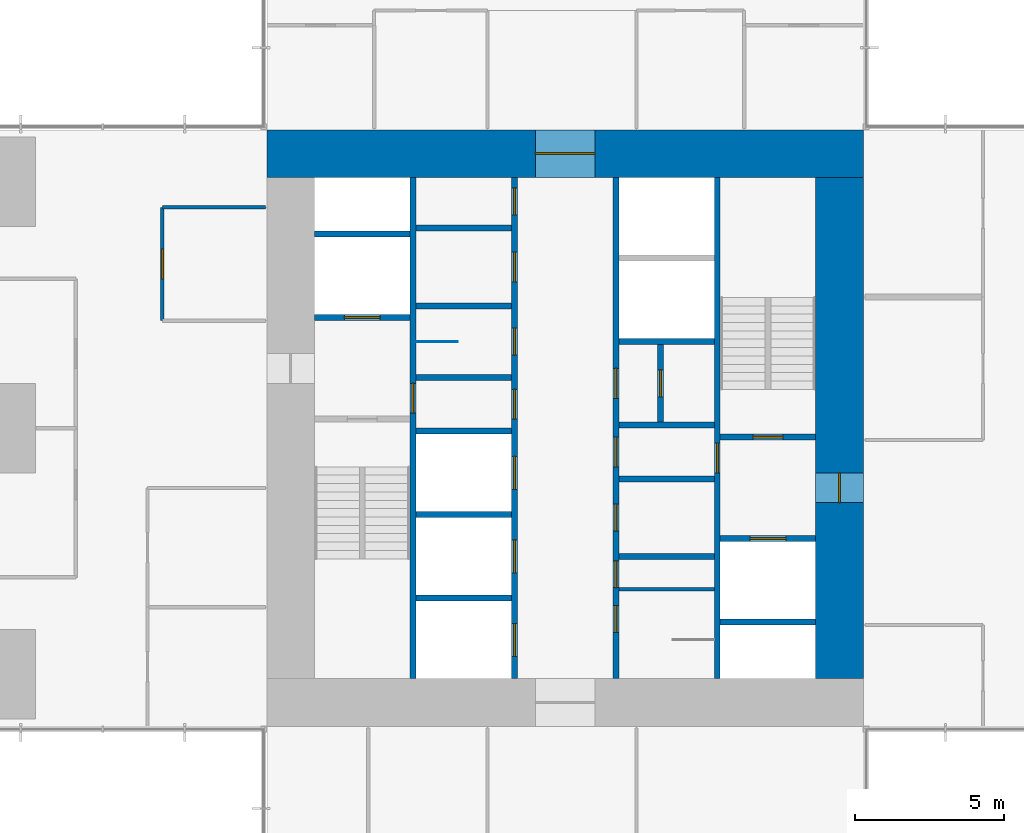
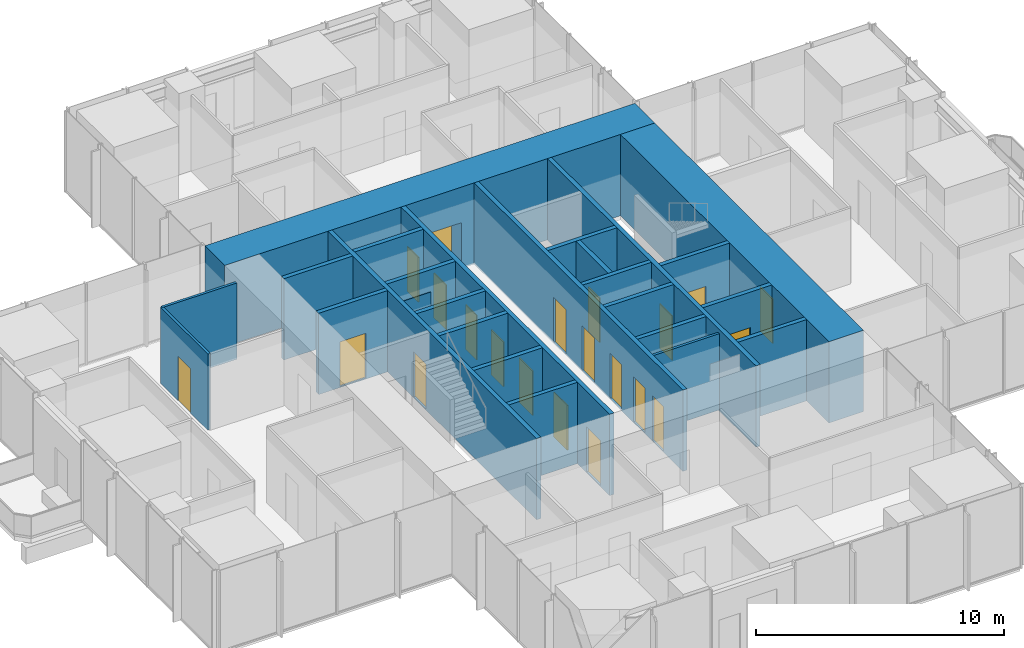
# One storey, part 9 of 14: 26 walls, 21 doors, 21 openings.
"""IFC4 building model written with IfcOpenShell, lengths in metres."""

import ifcopenshell
import ifcopenshell.guid

model = None  # the IFC model being written
_history = None  # IfcOwnerHistory: only IFC2X3 demands one
_inside = {}  # id of a spatial element -> (the spatial element, [elements in it])
_under = {}  # id of a project, library or spatial element -> (it, [spatial elements below it])
_declared = {}  # id of a project -> (the project, [libraries it declares])
_typed = {}  # id of a type object -> (the type object, [elements of that type])
_made_of = {}  # id of a material, layer set ... -> (it, [elements and type objects made of it])


def new_model(schema):
    """Start an empty IFC model of exactly this schema.

    Asked for "IFC4X3", IfcOpenShell would pick the latest addendum, in which some entities
    have other attributes; the version numbers below select the first issue.
    IFC2X3 requires an IfcOwnerHistory on every rooted entity: one is made here for all.
    """
    global model, _history
    if schema == "IFC4X3":
        model = ifcopenshell.file(schema_version=(4, 3, 0, 0))
    else:
        model = ifcopenshell.file(schema=schema)
    _inside.clear()
    _under.clear()
    _declared.clear()
    _typed.clear()
    _made_of.clear()
    _history = None
    if model.schema == "IFC2X3":
        org = make("IfcOrganization", Name="unknown")
        user = make(
            "IfcPersonAndOrganization",
            ThePerson=make("IfcPerson", FamilyName="unknown"),
            TheOrganization=org,
        )
        app = make(
            "IfcApplication",
            ApplicationDeveloper=org,
            Version="unknown",
            ApplicationFullName="unknown",
            ApplicationIdentifier="unknown",
        )
        _history = make(
            "IfcOwnerHistory",
            OwningUser=user,
            OwningApplication=app,
            ChangeAction="ADDED",
            CreationDate=0,
        )
    return model


def make(cls, **values):
    """One entity of the class cls with the attributes given. An attribute that is None is left unset."""
    return model.create_entity(
        cls, **{name: value for name, value in values.items() if value is not None}
    )


def rooted(cls, **values):
    """An entity with a GlobalId (a new one), such as an element, a storey or a relation."""
    return make(cls, GlobalId=ifcopenshell.guid.new(), OwnerHistory=_history, **values)


def si_unit(unit_type, name, prefix=None):
    """IfcSIUnit, for example si_unit("LENGTHUNIT", "METRE", prefix="MILLI")."""
    return make("IfcSIUnit", UnitType=unit_type, Prefix=prefix, Name=name)


def assignment(units):
    """IfcUnitAssignment: the units of a project."""
    return None if units is None else make("IfcUnitAssignment", Units=units)


def point(xyz):
    """IfcCartesianPoint."""
    return None if xyz is None else make("IfcCartesianPoint", Coordinates=xyz)


def direction(xyz):
    """IfcDirection."""
    return None if xyz is None else make("IfcDirection", DirectionRatios=xyz)


def frame(location, z_axis=None, x_axis=None):
    """IfcAxis2Placement3D, a coordinate frame: its origin and axes. An axis left out is left unset."""
    return make(
        "IfcAxis2Placement3D",
        Location=point(location),
        Axis=direction(z_axis),
        RefDirection=direction(x_axis),
    )


def frame_2d(location, x_axis=None):
    """IfcAxis2Placement2D, a coordinate frame in the plane: its origin and x axis."""
    return make(
        "IfcAxis2Placement2D", Location=point(location), RefDirection=direction(x_axis)
    )


def origin():
    """The frame at (0, 0, 0) with its axes left unset."""
    return frame((0.0, 0.0, 0.0))


def place(relative_to, where):
    """IfcLocalPlacement: puts the frame where relative to a parent placement (None: the world)."""
    return make(
        "IfcLocalPlacement", PlacementRelTo=relative_to, RelativePlacement=where
    )


def context(
    kind, dimensions, precision=None, world=None, true_north=None, identifier=None
):
    """IfcGeometricRepresentationContext, for example the 3D "Model" context."""
    return make(
        "IfcGeometricRepresentationContext",
        ContextIdentifier=identifier,
        ContextType=kind,
        CoordinateSpaceDimension=dimensions,
        Precision=precision,
        WorldCoordinateSystem=world,
        TrueNorth=true_north,
    )


def subcontext(parent, identifier, kind, view, scale=None):
    """IfcGeometricRepresentationSubContext, for example "Body" below "Model"."""
    return make(
        "IfcGeometricRepresentationSubContext",
        ContextIdentifier=identifier,
        ContextType=kind,
        ParentContext=parent,
        TargetScale=scale,
        TargetView=view,
    )


def project(units=None, contexts=None):
    """IfcProject with its units and contexts."""
    return rooted(
        "IfcProject",
        Name="project",
        RepresentationContexts=contexts,
        UnitsInContext=assignment(units),
    )


def spatial(cls, under=None, at=None, **own):
    """A site, building, storey or space (cls), placed at a placement, below another one or the project."""
    s = rooted(cls, ObjectPlacement=at, **own)
    if under is not None:
        _under.setdefault(under.id(), (under, []))[1].append(s)
    return s


def profile(cls, at=None, kind="AREA", **sizes):
    """A parametric profile (cls). Its sizes go by their IFC names, for example OverallWidth=200.0."""
    return make(cls, ProfileType=kind, Position=at, **sizes)


def rectangle(**sizes):
    """IfcRectangleProfileDef."""
    return profile("IfcRectangleProfileDef", **sizes)


def extrude(swept, where, along, depth):
    """IfcExtrudedAreaSolid: the profile swept, set in the frame where, extruded along a direction by depth."""
    return make(
        "IfcExtrudedAreaSolid",
        SweptArea=swept,
        Position=where,
        ExtrudedDirection=direction(along),
        Depth=depth,
    )


def shape(context_of_items, identifier, shape_type, items):
    """IfcShapeRepresentation: the items that make up one representation, for example the "Body"."""
    return make(
        "IfcShapeRepresentation",
        ContextOfItems=context_of_items,
        RepresentationIdentifier=identifier,
        RepresentationType=shape_type,
        Items=items,
    )


def material(Name=None, Category=None):
    """IfcMaterial."""
    return make("IfcMaterial", Name=Name, Category=Category)


def layer(
    of_material, thickness, ventilated=None, Name=None, Category=None, Priority=None
):
    """IfcMaterialLayer: one layer of a wall or slab, of a material (None: an air gap)."""
    return make(
        "IfcMaterialLayer",
        Material=of_material,
        LayerThickness=thickness,
        IsVentilated=ventilated,
        Name=Name,
        Category=Category,
        Priority=Priority,
    )


def layer_set(layers, Name=None):
    """IfcMaterialLayerSet."""
    return make("IfcMaterialLayerSet", MaterialLayers=layers, LayerSetName=Name)


def made_of(thing, what):
    """Note that an element or type object is made of a material, layer set ...; save() writes the relation."""
    if what is not None:
        _made_of.setdefault(what.id(), (what, []))[1].append(thing)
    return thing


def type_object(cls, material=None, **own):
    """A type object (cls), such as IfcWallType, which elements share."""
    return made_of(rooted(cls, **own), material)


def element(
    cls,
    number,
    at=None,
    inside=None,
    cuts=None,
    type_object=None,
    material=None,
    context=None,
    identifier="Body",
    shape_type=None,
    held_by="IfcProductDefinitionShape",
    body=None,
    shapes=None,
    **own,
):
    """One element of the class cls, such as IfcWall. Its Tag is "e" and its number.

    at: its placement. inside: the storey or other place that contains it. cuts: it is an
    opening in that element (IfcRelVoidsElement). A single representation is given by context,
    identifier, shape_type and body (its items); several are given by shapes. held_by: the class
    of the entity that holds the representations. save() writes the other relations.
    """
    e = rooted(cls, Tag="e%d" % number, ObjectPlacement=at, **own)
    if body is not None:
        shapes = [shape(context, identifier, shape_type, body)]
    if shapes is not None:
        e.Representation = make(held_by, Representations=shapes)
    if inside is not None:
        _inside.setdefault(inside.id(), (inside, []))[1].append(e)
    if cuts is not None:
        rooted(
            "IfcRelVoidsElement", RelatingBuildingElement=cuts, RelatedOpeningElement=e
        )
    if type_object is not None:
        _typed.setdefault(type_object.id(), (type_object, []))[1].append(e)
    return made_of(e, material)


def fill(opening, filler):
    """IfcRelFillsElement: the door or window that sits in an opening."""
    return rooted(
        "IfcRelFillsElement",
        RelatingOpeningElement=opening,
        RelatedBuildingElement=filler,
    )


def aggregate(whole, parts):
    """IfcRelAggregates: a whole, such as a stair, and the parts it consists of."""
    return rooted("IfcRelAggregates", RelatingObject=whole, RelatedObjects=parts)


def save(model, path):
    """Write the relations noted so far, then the file.

    IfcRelAggregates (storeys below a building ...), IfcRelContainedInSpatialStructure (elements
    in a storey), IfcRelDefinesByType, IfcRelAssociatesMaterial and IfcRelDeclares: one each for
    every whole, place, type object, material and project.
    """
    for whole, parts in _under.values():
        aggregate(whole, parts)
    for where, things in _inside.values():
        rooted(
            "IfcRelContainedInSpatialStructure",
            RelatedElements=things,
            RelatingStructure=where,
        )
    for kind, things in _typed.values():
        rooted("IfcRelDefinesByType", RelatedObjects=things, RelatingType=kind)
    for what, things in _made_of.values():
        rooted("IfcRelAssociatesMaterial", RelatedObjects=things, RelatingMaterial=what)
    for by, libraries in _declared.values():
        rooted("IfcRelDeclares", RelatingContext=by, RelatedDefinitions=libraries)
    model.write(path)


model = new_model("IFC4")

# Units and contexts
model_context = context("Model", 3, precision=1e-05, world=origin(), true_north=direction((0.0, 1.0)))
body_context = subcontext(model_context, "Body", "Model", "MODEL_VIEW")
ifc_project = project(units=[si_unit("LENGTHUNIT", "METRE"), si_unit("AREAUNIT", "SQUARE_METRE"), si_unit("VOLUMEUNIT", "CUBIC_METRE"), si_unit("PLANEANGLEUNIT", "RADIAN"), si_unit("MASSUNIT", "GRAM", prefix="KILO")], contexts=[model_context])

# Site, building, storey
site_placement = place(None, origin())
site = spatial("IfcSite", under=ifc_project, at=site_placement, CompositionType="ELEMENT")
building_placement = place(site_placement, origin())
building = spatial("IfcBuilding", under=site, at=building_placement, Name="Svetlomir Tower", CompositionType="ELEMENT")
storey_placement = place(building_placement, frame((0.0, 0.0, 108.5)))
storey = spatial("IfcBuildingStorey", under=building, at=storey_placement, Name="L25", CompositionType="ELEMENT", Elevation=108.5)

# Wall, opening, door
ifc_material_1 = material(Name="Concrete C60/75", Category="concrete")
ifc_layer_1 = layer(ifc_material_1, 0.199951171875)
ifc_layer_set_1 = layer_set([ifc_layer_1], Name="Concrete C60/75")
wall_type_1 = type_object("IfcWallType", Name="CORE INNER WALL 200", PredefinedType="SHEAR", material=ifc_layer_set_1)
wall_1_placement = place(storey_placement, frame((15.89990234375, 12.60009765625, -0.050048828125), z_axis=(0.0, 0.0, 1.0), x_axis=(0.0, 1.0, 0.0)))
wall_1 = element("IfcWall", 1, at=wall_1_placement, inside=storey, type_object=wall_type_1, Name="Core inner wall 15.9 L25", PredefinedType="SHEAR", context=body_context, shape_type="SweptSolid", body=[
    extrude(rectangle(XDim=16.7998046875, YDim=0.199951171875, at=frame_2d((8.39990234375, 0.0))), origin(), (0.0, 0.0, 1.0), 4.0),
])
opening_1_placement = place(wall_1_placement, frame((8.89990234375, 0.0, 0.050048828125)))
opening_1 = element("IfcOpeningElement", 2, at=opening_1_placement, cuts=wall_1, Name="Opening DF", PredefinedType="OPENING", context=body_context, shape_type="SweptSolid", body=[
    extrude(rectangle(XDim=1.0, YDim=2.199951171875, at=frame_2d((0.5, 1.10009765625))), frame((0.0, 0.10986328125, 0.0), z_axis=(0.0, -1.0, 0.0), x_axis=(1.0, 0.0, 0.0)), (0.0, 0.0, 1.0), 0.219970703125),
])
ifc_material_2 = material(Name="Steel fire door", Category="steel")
door_type_1 = type_object("IfcDoorType", Name="DOOR DF 1000x2200", OperationType="SINGLE_SWING_LEFT", PredefinedType="DOOR", material=ifc_material_2)
door_1_placement = place(opening_1_placement, origin())
door_1 = element("IfcDoor", 3, at=door_1_placement, inside=storey, type_object=door_type_1, Name="Core corridor west door L25", OperationType="SINGLE_SWING_LEFT", OverallHeight=2.199951171875, OverallWidth=1.0, PredefinedType="DOOR", context=body_context, shape_type="SweptSolid", body=[
    extrude(rectangle(XDim=1.0, YDim=2.199951171875, at=frame_2d((0.5, 1.10009765625))), frame((0.0, 0.02490234375, 0.0), z_axis=(0.0, -1.0, 0.0), x_axis=(1.0, 0.0, 0.0)), (0.0, 0.0, 1.0), 0.050048828125),
])
fill(opening_1, door_1)

# Wall, openings, doors
wall_2_placement = place(storey_placement, frame((19.300048828125, 12.60009765625, -0.050048828125), z_axis=(0.0, 0.0, 1.0), x_axis=(0.0, 1.0, 0.0)))
wall_2 = element("IfcWall", 4, at=wall_2_placement, inside=storey, type_object=wall_type_1, Name="Core inner wall 19.3 L25", PredefinedType="SHEAR", context=body_context, shape_type="SweptSolid", body=[
    extrude(rectangle(XDim=16.7998046875, YDim=0.199951171875, at=frame_2d((8.39990234375, 0.0))), origin(), (0.0, 0.0, 1.0), 4.0),
])
opening_2_placement = place(wall_2_placement, frame((8.699951171875, 0.0, 0.050048828125)))
opening_2 = element("IfcOpeningElement", 5, at=opening_2_placement, cuts=wall_2, Name="Opening DC", PredefinedType="OPENING", context=body_context, shape_type="SweptSolid", body=[
    extrude(rectangle(XDim=1.0, YDim=2.199951171875, at=frame_2d((0.5, 1.10009765625))), frame((0.0, 0.10986328125, 0.0), z_axis=(0.0, -1.0, 0.0), x_axis=(1.0, 0.0, 0.0)), (0.0, 0.0, 1.0), 0.219970703125),
])
opening_3_placement = place(wall_2_placement, frame((10.85009765625, 0.0, 0.050048828125)))
opening_3 = element("IfcOpeningElement", 6, at=opening_3_placement, cuts=wall_2, Name="Opening DW", PredefinedType="OPENING", context=body_context, shape_type="SweptSolid", body=[
    extrude(rectangle(XDim=0.89990234375, YDim=2.199951171875, at=frame_2d((0.449951171875, 1.10009765625))), frame((0.0, 0.10986328125, 0.0), z_axis=(0.0, -1.0, 0.0), x_axis=(1.0, 0.0, 0.0)), (0.0, 0.0, 1.0), 0.219970703125),
])
opening_4_placement = place(wall_2_placement, frame((13.300048828125, 0.0, 0.050048828125)))
opening_4 = element("IfcOpeningElement", 7, at=opening_4_placement, cuts=wall_2, Name="Opening DC", PredefinedType="OPENING", context=body_context, shape_type="SweptSolid", body=[
    extrude(rectangle(XDim=1.0, YDim=2.199951171875, at=frame_2d((0.5, 1.10009765625))), frame((0.0, 0.10986328125, 0.0), z_axis=(0.0, -1.0, 0.0), x_axis=(1.0, 0.0, 0.0)), (0.0, 0.0, 1.0), 0.219970703125),
])
opening_5_placement = place(wall_2_placement, frame((15.550048828125, 0.0, 0.050048828125)))
opening_5 = element("IfcOpeningElement", 8, at=opening_5_placement, cuts=wall_2, Name="Opening DW", PredefinedType="OPENING", context=body_context, shape_type="SweptSolid", body=[
    extrude(rectangle(XDim=0.89990234375, YDim=2.199951171875, at=frame_2d((0.449951171875, 1.10009765625))), frame((0.0, 0.10986328125, 0.0), z_axis=(0.0, -1.0, 0.0), x_axis=(1.0, 0.0, 0.0)), (0.0, 0.0, 1.0), 0.219970703125),
])
opening_6_placement = place(wall_2_placement, frame((0.75, 0.0, 0.050048828125)))
opening_6 = element("IfcOpeningElement", 9, at=opening_6_placement, cuts=wall_2, Name="Opening LD", PredefinedType="OPENING", context=body_context, shape_type="SweptSolid", body=[
    extrude(rectangle(XDim=1.10009765625, YDim=2.199951171875, at=frame_2d((0.550048828125, 1.10009765625))), frame((0.0, 0.10986328125, 0.0), z_axis=(0.0, -1.0, 0.0), x_axis=(1.0, 0.0, 0.0)), (0.0, 0.0, 1.0), 0.219970703125),
])
opening_7_placement = place(wall_2_placement, frame((3.550048828125, 0.0, 0.050048828125)))
opening_7 = element("IfcOpeningElement", 10, at=opening_7_placement, cuts=wall_2, Name="Opening LD", PredefinedType="OPENING", context=body_context, shape_type="SweptSolid", body=[
    extrude(rectangle(XDim=1.10009765625, YDim=2.199951171875, at=frame_2d((0.550048828125, 1.10009765625))), frame((0.0, 0.10986328125, 0.0), z_axis=(0.0, -1.0, 0.0), x_axis=(1.0, 0.0, 0.0)), (0.0, 0.0, 1.0), 0.219970703125),
])
opening_8_placement = place(wall_2_placement, frame((6.35009765625, 0.0, 0.050048828125)))
opening_8 = element("IfcOpeningElement", 11, at=opening_8_placement, cuts=wall_2, Name="Opening LD", PredefinedType="OPENING", context=body_context, shape_type="SweptSolid", body=[
    extrude(rectangle(XDim=1.10009765625, YDim=2.199951171875, at=frame_2d((0.550048828125, 1.10009765625))), frame((0.0, 0.10986328125, 0.0), z_axis=(0.0, -1.0, 0.0), x_axis=(1.0, 0.0, 0.0)), (0.0, 0.0, 1.0), 0.219970703125),
])
ifc_material_3 = material(Name="Timber fire door", Category="wood")
door_type_2 = type_object("IfcDoorType", Name="DOOR DC 1000x2200", OperationType="SINGLE_SWING_LEFT", PredefinedType="DOOR", material=ifc_material_3)
door_2_placement = place(opening_2_placement, origin())
door_2 = element("IfcDoor", 12, at=door_2_placement, inside=storey, type_object=door_type_2, Name="Core corridor west lobby door L25", OperationType="SINGLE_SWING_RIGHT", OverallHeight=2.199951171875, OverallWidth=1.0, PredefinedType="DOOR", context=body_context, shape_type="SweptSolid", body=[
    extrude(rectangle(XDim=1.0, YDim=2.199951171875, at=frame_2d((0.5, 1.10009765625))), frame((0.0, 0.02490234375, 0.0), z_axis=(0.0, -1.0, 0.0), x_axis=(1.0, 0.0, 0.0)), (0.0, 0.0, 1.0), 0.050048828125),
])
fill(opening_2, door_2)
door_3_placement = place(opening_4_placement, origin())
door_3 = element("IfcDoor", 13, at=door_3_placement, inside=storey, type_object=door_type_2, Name="Accessible WC door L25", OperationType="SINGLE_SWING_LEFT", OverallHeight=2.199951171875, OverallWidth=1.0, PredefinedType="DOOR", context=body_context, shape_type="SweptSolid", body=[
    extrude(rectangle(XDim=1.0, YDim=2.199951171875, at=frame_2d((0.5, 1.10009765625))), frame((0.0, 0.02490234375, 0.0), z_axis=(0.0, -1.0, 0.0), x_axis=(1.0, 0.0, 0.0)), (0.0, 0.0, 1.0), 0.050048828125),
])
fill(opening_4, door_3)
ifc_material_4 = material(Name="Timber fire door", Category="wood")
door_type_3 = type_object("IfcDoorType", Name="DOOR DW 900x2200", OperationType="SINGLE_SWING_LEFT", PredefinedType="DOOR", material=ifc_material_4)
door_4_placement = place(opening_3_placement, origin())
door_4 = element("IfcDoor", 14, at=door_4_placement, inside=storey, type_object=door_type_3, Name="Female WC door L25", OperationType="SINGLE_SWING_RIGHT", OverallHeight=2.199951171875, OverallWidth=0.89990234375, PredefinedType="DOOR", context=body_context, shape_type="SweptSolid", body=[
    extrude(rectangle(XDim=0.89990234375, YDim=2.199951171875, at=frame_2d((0.449951171875, 1.10009765625))), frame((0.0, 0.02490234375, 0.0), z_axis=(0.0, -1.0, 0.0), x_axis=(1.0, 0.0, 0.0)), (0.0, 0.0, 1.0), 0.050048828125),
])
fill(opening_3, door_4)
door_5_placement = place(opening_5_placement, origin())
door_5 = element("IfcDoor", 15, at=door_5_placement, inside=storey, type_object=door_type_3, Name="Tea point door L25", OperationType="SINGLE_SWING_RIGHT", OverallHeight=2.199951171875, OverallWidth=0.89990234375, PredefinedType="DOOR", context=body_context, shape_type="SweptSolid", body=[
    extrude(rectangle(XDim=0.89990234375, YDim=2.199951171875, at=frame_2d((0.449951171875, 1.10009765625))), frame((0.0, 0.02490234375, 0.0), z_axis=(0.0, -1.0, 0.0), x_axis=(1.0, 0.0, 0.0)), (0.0, 0.0, 1.0), 0.050048828125),
])
fill(opening_5, door_5)
ifc_material_5 = material(Name="Stainless steel landing door", Category="steel")
door_type_4 = type_object("IfcDoorType", Name="LIFT LANDING DOOR LD 1100x2200", OperationType="DOUBLE_DOOR_SLIDING", PredefinedType="DOOR", material=ifc_material_5)
door_6_placement = place(opening_6_placement, origin())
door_6 = element("IfcDoor", 16, at=door_6_placement, inside=storey, type_object=door_type_4, Name="Landing door lift LB1 L25", OperationType="DOUBLE_DOOR_SLIDING", OverallHeight=2.199951171875, OverallWidth=1.10009765625, PredefinedType="DOOR", context=body_context, shape_type="SweptSolid", body=[
    extrude(rectangle(XDim=1.10009765625, YDim=2.199951171875, at=frame_2d((0.550048828125, 1.10009765625))), frame((0.0, 0.02490234375, 0.0), z_axis=(0.0, -1.0, 0.0), x_axis=(1.0, 0.0, 0.0)), (0.0, 0.0, 1.0), 0.050048828125),
])
fill(opening_6, door_6)
door_7_placement = place(opening_7_placement, origin())
door_7 = element("IfcDoor", 17, at=door_7_placement, inside=storey, type_object=door_type_4, Name="Landing door lift LB2 L25", OperationType="DOUBLE_DOOR_SLIDING", OverallHeight=2.199951171875, OverallWidth=1.10009765625, PredefinedType="DOOR", context=body_context, shape_type="SweptSolid", body=[
    extrude(rectangle(XDim=1.10009765625, YDim=2.199951171875, at=frame_2d((0.550048828125, 1.10009765625))), frame((0.0, 0.02490234375, 0.0), z_axis=(0.0, -1.0, 0.0), x_axis=(1.0, 0.0, 0.0)), (0.0, 0.0, 1.0), 0.050048828125),
])
fill(opening_7, door_7)
door_8_placement = place(opening_8_placement, origin())
door_8 = element("IfcDoor", 18, at=door_8_placement, inside=storey, type_object=door_type_4, Name="Landing door lift LB3 L25", OperationType="DOUBLE_DOOR_SLIDING", OverallHeight=2.199951171875, OverallWidth=1.10009765625, PredefinedType="DOOR", context=body_context, shape_type="SweptSolid", body=[
    extrude(rectangle(XDim=1.10009765625, YDim=2.199951171875, at=frame_2d((0.550048828125, 1.10009765625))), frame((0.0, 0.02490234375, 0.0), z_axis=(0.0, -1.0, 0.0), x_axis=(1.0, 0.0, 0.0)), (0.0, 0.0, 1.0), 0.050048828125),
])
fill(opening_8, door_8)

wall_3_placement = place(storey_placement, frame((22.699951171875, 12.60009765625, -0.050048828125), z_axis=(0.0, 0.0, 1.0), x_axis=(0.0, 1.0, 0.0)))
wall_3 = element("IfcWall", 19, at=wall_3_placement, inside=storey, type_object=wall_type_1, Name="Core inner wall 22.7 L25", PredefinedType="SHEAR", context=body_context, shape_type="SweptSolid", body=[
    extrude(rectangle(XDim=16.7998046875, YDim=0.199951171875, at=frame_2d((8.39990234375, 0.0))), origin(), (0.0, 0.0, 1.0), 4.0),
])
opening_9_placement = place(wall_3_placement, frame((3.050048828125, 0.0, 0.050048828125)))
opening_9 = element("IfcOpeningElement", 20, at=opening_9_placement, cuts=wall_3, Name="Opening DW", PredefinedType="OPENING", context=body_context, shape_type="SweptSolid", body=[
    extrude(rectangle(XDim=0.89990234375, YDim=2.199951171875, at=frame_2d((0.449951171875, 1.10009765625))), frame((0.0, 0.10986328125, 0.0), z_axis=(0.0, -1.0, 0.0), x_axis=(1.0, 0.0, 0.0)), (0.0, 0.0, 1.0), 0.219970703125),
])
opening_10_placement = place(wall_3_placement, frame((7.10009765625, 0.0, 0.050048828125)))
opening_10 = element("IfcOpeningElement", 21, at=opening_10_placement, cuts=wall_3, Name="Opening DC", PredefinedType="OPENING", context=body_context, shape_type="SweptSolid", body=[
    extrude(rectangle(XDim=1.0, YDim=2.199951171875, at=frame_2d((0.5, 1.10009765625))), frame((0.0, 0.10986328125, 0.0), z_axis=(0.0, -1.0, 0.0), x_axis=(1.0, 0.0, 0.0)), (0.0, 0.0, 1.0), 0.219970703125),
])
opening_11_placement = place(wall_3_placement, frame((1.550048828125, 0.0, 0.050048828125)))
opening_11 = element("IfcOpeningElement", 22, at=opening_11_placement, cuts=wall_3, Name="Opening DW", PredefinedType="OPENING", context=body_context, shape_type="SweptSolid", body=[
    extrude(rectangle(XDim=0.89990234375, YDim=2.199951171875, at=frame_2d((0.449951171875, 1.10009765625))), frame((0.0, 0.10986328125, 0.0), z_axis=(0.0, -1.0, 0.0), x_axis=(1.0, 0.0, 0.0)), (0.0, 0.0, 1.0), 0.219970703125),
])
opening_12_placement = place(wall_3_placement, frame((4.949951171875, 0.0, 0.050048828125)))
opening_12 = element("IfcOpeningElement", 23, at=opening_12_placement, cuts=wall_3, Name="Opening DW", PredefinedType="OPENING", context=body_context, shape_type="SweptSolid", body=[
    extrude(rectangle(XDim=0.89990234375, YDim=2.199951171875, at=frame_2d((0.449951171875, 1.10009765625))), frame((0.0, 0.10986328125, 0.0), z_axis=(0.0, -1.0, 0.0), x_axis=(1.0, 0.0, 0.0)), (0.0, 0.0, 1.0), 0.219970703125),
])
opening_13_placement = place(wall_3_placement, frame((9.39990234375, 0.0, 0.050048828125)))
opening_13 = element("IfcOpeningElement", 24, at=opening_13_placement, cuts=wall_3, Name="Opening DC", PredefinedType="OPENING", context=body_context, shape_type="SweptSolid", body=[
    extrude(rectangle(XDim=1.0, YDim=2.199951171875, at=frame_2d((0.5, 1.10009765625))), frame((0.0, 0.10986328125, 0.0), z_axis=(0.0, -1.0, 0.0), x_axis=(1.0, 0.0, 0.0)), (0.0, 0.0, 1.0), 0.219970703125),
])
door_9_placement = place(opening_10_placement, origin())
door_9 = element("IfcDoor", 25, at=door_9_placement, inside=storey, type_object=door_type_2, Name="Core corridor east lobby door L25", OperationType="SINGLE_SWING_LEFT", OverallHeight=2.199951171875, OverallWidth=1.0, PredefinedType="DOOR", context=body_context, shape_type="SweptSolid", body=[
    extrude(rectangle(XDim=1.0, YDim=2.199951171875, at=frame_2d((0.5, 1.10009765625))), frame((0.0, 0.02490234375, 0.0), z_axis=(0.0, -1.0, 0.0), x_axis=(1.0, 0.0, 0.0)), (0.0, 0.0, 1.0), 0.050048828125),
])
fill(opening_10, door_9)
door_10_placement = place(opening_13_placement, origin())
door_10 = element("IfcDoor", 26, at=door_10_placement, inside=storey, type_object=door_type_2, Name="Converted shaft BANK-E1 room door L25", OperationType="SINGLE_SWING_LEFT", OverallHeight=2.199951171875, OverallWidth=1.0, PredefinedType="DOOR", context=body_context, shape_type="SweptSolid", body=[
    extrude(rectangle(XDim=1.0, YDim=2.199951171875, at=frame_2d((0.5, 1.10009765625))), frame((0.0, 0.02490234375, 0.0), z_axis=(0.0, -1.0, 0.0), x_axis=(1.0, 0.0, 0.0)), (0.0, 0.0, 1.0), 0.050048828125),
])
fill(opening_13, door_10)
door_11_placement = place(opening_9_placement, origin())
door_11 = element("IfcDoor", 27, at=door_11_placement, inside=storey, type_object=door_type_3, Name="Shower and changing room door L25", OperationType="SINGLE_SWING_LEFT", OverallHeight=2.199951171875, OverallWidth=0.89990234375, PredefinedType="DOOR", context=body_context, shape_type="SweptSolid", body=[
    extrude(rectangle(XDim=0.89990234375, YDim=2.199951171875, at=frame_2d((0.449951171875, 1.10009765625))), frame((0.0, 0.02490234375, 0.0), z_axis=(0.0, -1.0, 0.0), x_axis=(1.0, 0.0, 0.0)), (0.0, 0.0, 1.0), 0.050048828125),
])
fill(opening_9, door_11)
door_12_placement = place(opening_11_placement, origin())
door_12 = element("IfcDoor", 28, at=door_12_placement, inside=storey, type_object=door_type_3, Name="Male WC door L25", OperationType="SINGLE_SWING_RIGHT", OverallHeight=2.199951171875, OverallWidth=0.89990234375, PredefinedType="DOOR", context=body_context, shape_type="SweptSolid", body=[
    extrude(rectangle(XDim=0.89990234375, YDim=2.199951171875, at=frame_2d((0.449951171875, 1.10009765625))), frame((0.0, 0.02490234375, 0.0), z_axis=(0.0, -1.0, 0.0), x_axis=(1.0, 0.0, 0.0)), (0.0, 0.0, 1.0), 0.050048828125),
])
fill(opening_11, door_12)
door_13_placement = place(opening_12_placement, origin())
door_13 = element("IfcDoor", 29, at=door_13_placement, inside=storey, type_object=door_type_3, Name="Comms room door L25", OperationType="SINGLE_SWING_RIGHT", OverallHeight=2.199951171875, OverallWidth=0.89990234375, PredefinedType="DOOR", context=body_context, shape_type="SweptSolid", body=[
    extrude(rectangle(XDim=0.89990234375, YDim=2.199951171875, at=frame_2d((0.449951171875, 1.10009765625))), frame((0.0, 0.02490234375, 0.0), z_axis=(0.0, -1.0, 0.0), x_axis=(1.0, 0.0, 0.0)), (0.0, 0.0, 1.0), 0.050048828125),
])
fill(opening_12, door_13)

# Wall, opening, door
wall_4_placement = place(storey_placement, frame((26.10009765625, 12.60009765625, -0.050048828125), z_axis=(0.0, 0.0, 1.0), x_axis=(0.0, 1.0, 0.0)))
wall_4 = element("IfcWall", 30, at=wall_4_placement, inside=storey, type_object=wall_type_1, Name="Core inner wall 26.1 L25", PredefinedType="SHEAR", context=body_context, shape_type="SweptSolid", body=[
    extrude(rectangle(XDim=16.7998046875, YDim=0.199951171875, at=frame_2d((8.39990234375, 0.0))), origin(), (0.0, 0.0, 1.0), 4.0),
])
opening_14_placement = place(wall_4_placement, frame((6.89990234375, 0.0, 0.050048828125)))
opening_14 = element("IfcOpeningElement", 31, at=opening_14_placement, cuts=wall_4, Name="Opening DF", PredefinedType="OPENING", context=body_context, shape_type="SweptSolid", body=[
    extrude(rectangle(XDim=1.0, YDim=2.199951171875, at=frame_2d((0.5, 1.10009765625))), frame((0.0, 0.10986328125, 0.0), z_axis=(0.0, -1.0, 0.0), x_axis=(1.0, 0.0, 0.0)), (0.0, 0.0, 1.0), 0.219970703125),
])
door_14_placement = place(opening_14_placement, origin())
door_14 = element("IfcDoor", 32, at=door_14_placement, inside=storey, type_object=door_type_1, Name="Core corridor east door L25", OperationType="SINGLE_SWING_LEFT", OverallHeight=2.199951171875, OverallWidth=1.0, PredefinedType="DOOR", context=body_context, shape_type="SweptSolid", body=[
    extrude(rectangle(XDim=1.0, YDim=2.199951171875, at=frame_2d((0.5, 1.10009765625))), frame((0.0, 0.02490234375, 0.0), z_axis=(0.0, -1.0, 0.0), x_axis=(1.0, 0.0, 0.0)), (0.0, 0.0, 1.0), 0.050048828125),
])
fill(opening_14, door_14)

wall_5_placement = place(storey_placement, frame((12.60009765625, 24.699951171875, -0.050048828125), z_axis=(0.0, 0.0, 1.0), x_axis=(1.0, 0.0, 0.0)))
wall_5 = element("IfcWall", 33, at=wall_5_placement, inside=storey, type_object=wall_type_1, Name="Core inner wall 12.6-15.8/24.7 L25", PredefinedType="SHEAR", context=body_context, shape_type="SweptSolid", body=[
    extrude(rectangle(XDim=3.199951171875, YDim=0.199951171875, at=frame_2d((1.60009765625, 0.0))), origin(), (0.0, 0.0, 1.0), 4.0),
])
opening_15_placement = place(wall_5_placement, frame((1.0, 0.0, 0.050048828125)))
opening_15 = element("IfcOpeningElement", 34, at=opening_15_placement, cuts=wall_5, Name="Opening LD3", PredefinedType="OPENING", context=body_context, shape_type="SweptSolid", body=[
    extrude(rectangle(XDim=1.199951171875, YDim=2.199951171875, at=frame_2d((0.60009765625, 1.10009765625))), frame((0.0, 0.10986328125, 0.0), z_axis=(0.0, -1.0, 0.0), x_axis=(1.0, 0.0, 0.0)), (0.0, 0.0, 1.0), 0.219970703125),
])
ifc_material_6 = material(Name="Stainless steel fire-rated landing door", Category="steel")
door_type_5 = type_object("IfcDoorType", Name="FIREFIGHTING LIFT LANDING DOOR LD3 1200x2200", OperationType="DOUBLE_DOOR_SLIDING", PredefinedType="DOOR", material=ifc_material_6)
door_15_placement = place(opening_15_placement, origin())
door_15 = element("IfcDoor", 35, at=door_15_placement, inside=storey, type_object=door_type_5, Name="Landing door lift FL1 L25", OperationType="DOUBLE_DOOR_SLIDING", OverallHeight=2.199951171875, OverallWidth=1.199951171875, PredefinedType="DOOR", context=body_context, shape_type="SweptSolid", body=[
    extrude(rectangle(XDim=1.199951171875, YDim=2.199951171875, at=frame_2d((0.60009765625, 1.10009765625))), frame((0.0, 0.02490234375, 0.0), z_axis=(0.0, -1.0, 0.0), x_axis=(1.0, 0.0, 0.0)), (0.0, 0.0, 1.0), 0.050048828125),
])
fill(opening_15, door_15)

# Walls
for number, where, z_axis, x_axis, name in (
    (36, (12.60009765625, 27.5, -0.050048828125), (0.0, 0.0, 1.0), (1.0, 0.0, 0.0), "Core inner wall 12.6-15.8/27.5 L25"),
    (37, (16.0, 15.300048828125, -0.050048828125), (0.0, 0.0, 1.0), (1.0, 0.0, 0.0), "Core inner wall 16-19.2/15.3 L25"),
    (38, (16.0, 18.10009765625, -0.050048828125), (0.0, 0.0, 1.0), (1.0, 0.0, 0.0), "Core inner wall 16-19.2/18.1 L25"),
    (39, (16.0, 20.89990234375, -0.050048828125), (0.0, 0.0, 1.0), (1.0, 0.0, 0.0), "Core inner wall 16-19.2/20.9 L25"),
    (40, (16.0, 22.699951171875, -0.050048828125), (0.0, 0.0, 1.0), (1.0, 0.0, 0.0), "Core inner wall 16-19.2/22.7 L25"),
    (41, (16.0, 25.10009765625, -0.050048828125), (0.0, 0.0, 1.0), (1.0, 0.0, 0.0), "Core inner wall 16-19.2/25.1 L25"),
    (42, (16.0, 27.699951171875, -0.050048828125), (0.0, 0.0, 1.0), (1.0, 0.0, 0.0), "Core inner wall 16-19.2/27.7 L25"),
    (43, (22.800048828125, 16.699951171875, -0.050048828125), (0.0, 0.0, 1.0), (1.0, 0.0, 0.0), "Core inner wall 22.8-26/16.7 L25"),
    (44, (22.800048828125, 19.300048828125, -0.050048828125), (0.0, 0.0, 1.0), (1.0, 0.0, 0.0), "Core inner wall 22.8-26/19.3 L25"),
    (45, (22.800048828125, 21.10009765625, -0.050048828125), (0.0, 0.0, 1.0), (1.0, 0.0, 0.0), "Core inner wall 22.8-26/21.1 L25"),
    (46, (22.800048828125, 23.89990234375, -0.050048828125), (0.0, 0.0, 1.0), (1.0, 0.0, 0.0), "Core inner wall 22.8-26/23.9 L25"),
    (47, (26.199951171875, 14.5, -0.050048828125), (0.0, 0.0, 1.0), (1.0, 0.0, 0.0), "Core inner wall 26.2-29.4/14.5 L25"),
):
    element("IfcWall", number, at=place(storey_placement, frame(where, z_axis=z_axis, x_axis=x_axis)), inside=storey, type_object=wall_type_1, Name=name, PredefinedType="SHEAR", context=body_context, shape_type="SweptSolid", body=[
        extrude(rectangle(XDim=3.199951171875, YDim=0.199951171875, at=frame_2d((1.60009765625, 0.0))), origin(), (0.0, 0.0, 1.0), 4.0),
    ])

# Wall, opening, door
wall_6_placement = place(storey_placement, frame((26.199951171875, 17.300048828125, -0.050048828125), z_axis=(0.0, 0.0, 1.0), x_axis=(1.0, 0.0, 0.0)))
wall_6 = element("IfcWall", 48, at=wall_6_placement, inside=storey, type_object=wall_type_1, Name="Core inner wall 26.2-29.4/17.3 L25", PredefinedType="SHEAR", context=body_context, shape_type="SweptSolid", body=[
    extrude(rectangle(XDim=3.199951171875, YDim=0.199951171875, at=frame_2d((1.60009765625, 0.0))), origin(), (0.0, 0.0, 1.0), 4.0),
])
opening_16_placement = place(wall_6_placement, frame((1.0, 0.0, 0.050048828125)))
opening_16 = element("IfcOpeningElement", 49, at=opening_16_placement, cuts=wall_6, Name="Opening LD3", PredefinedType="OPENING", context=body_context, shape_type="SweptSolid", body=[
    extrude(rectangle(XDim=1.199951171875, YDim=2.199951171875, at=frame_2d((0.60009765625, 1.10009765625))), frame((0.0, 0.10986328125, 0.0), z_axis=(0.0, -1.0, 0.0), x_axis=(1.0, 0.0, 0.0)), (0.0, 0.0, 1.0), 0.219970703125),
])
door_16_placement = place(opening_16_placement, origin())
door_16 = element("IfcDoor", 50, at=door_16_placement, inside=storey, type_object=door_type_5, Name="Landing door lift FL2 L25", OperationType="DOUBLE_DOOR_SLIDING", OverallHeight=2.199951171875, OverallWidth=1.199951171875, PredefinedType="DOOR", context=body_context, shape_type="SweptSolid", body=[
    extrude(rectangle(XDim=1.199951171875, YDim=2.199951171875, at=frame_2d((0.60009765625, 1.10009765625))), frame((0.0, 0.02490234375, 0.0), z_axis=(0.0, -1.0, 0.0), x_axis=(1.0, 0.0, 0.0)), (0.0, 0.0, 1.0), 0.050048828125),
])
fill(opening_16, door_16)

wall_7_placement = place(storey_placement, frame((26.199951171875, 20.699951171875, -0.050048828125), z_axis=(0.0, 0.0, 1.0), x_axis=(1.0, 0.0, 0.0)))
wall_7 = element("IfcWall", 51, at=wall_7_placement, inside=storey, type_object=wall_type_1, Name="Core inner wall 26.2-29.4/20.7 L25", PredefinedType="SHEAR", context=body_context, shape_type="SweptSolid", body=[
    extrude(rectangle(XDim=3.199951171875, YDim=0.199951171875, at=frame_2d((1.60009765625, 0.0))), origin(), (0.0, 0.0, 1.0), 4.0),
])
opening_17_placement = place(wall_7_placement, frame((1.10009765625, 0.0, 0.050048828125)))
opening_17 = element("IfcOpeningElement", 52, at=opening_17_placement, cuts=wall_7, Name="Opening DF", PredefinedType="OPENING", context=body_context, shape_type="SweptSolid", body=[
    extrude(rectangle(XDim=1.0, YDim=2.199951171875, at=frame_2d((0.5, 1.10009765625))), frame((0.0, 0.10986328125, 0.0), z_axis=(0.0, -1.0, 0.0), x_axis=(1.0, 0.0, 0.0)), (0.0, 0.0, 1.0), 0.219970703125),
])
door_17_placement = place(opening_17_placement, origin())
door_17 = element("IfcDoor", 53, at=door_17_placement, inside=storey, type_object=door_type_1, Name="Stair S2 door L25", OperationType="SINGLE_SWING_LEFT", OverallHeight=2.199951171875, OverallWidth=1.0, PredefinedType="DOOR", context=body_context, shape_type="SweptSolid", body=[
    extrude(rectangle(XDim=1.0, YDim=2.199951171875, at=frame_2d((0.5, 1.10009765625))), frame((0.0, 0.02490234375, 0.0), z_axis=(0.0, -1.0, 0.0), x_axis=(1.0, 0.0, 0.0)), (0.0, 0.0, 1.0), 0.050048828125),
])
fill(opening_17, door_17)

wall_8_placement = place(storey_placement, frame((24.199951171875, 21.199951171875, -0.050048828125), z_axis=(0.0, 0.0, 1.0), x_axis=(0.0, 1.0, 0.0)))
wall_8 = element("IfcWall", 54, at=wall_8_placement, inside=storey, type_object=wall_type_1, Name="Core inner wall 24.2/21.2-23.8 L25", PredefinedType="SHEAR", context=body_context, shape_type="SweptSolid", body=[
    extrude(rectangle(XDim=2.60009765625, YDim=0.199951171875, at=frame_2d((1.300048828125, 0.0))), origin(), (0.0, 0.0, 1.0), 4.0),
])
opening_18_placement = place(wall_8_placement, frame((0.85009765625, 0.0, 0.050048828125)))
opening_18 = element("IfcOpeningElement", 55, at=opening_18_placement, cuts=wall_8, Name="Opening DW", PredefinedType="OPENING", context=body_context, shape_type="SweptSolid", body=[
    extrude(rectangle(XDim=0.89990234375, YDim=2.199951171875, at=frame_2d((0.449951171875, 1.10009765625))), frame((0.0, 0.10986328125, 0.0), z_axis=(0.0, -1.0, 0.0), x_axis=(1.0, 0.0, 0.0)), (0.0, 0.0, 1.0), 0.219970703125),
])
door_18_placement = place(opening_18_placement, origin())
door_18 = element("IfcDoor", 56, at=door_18_placement, inside=storey, type_object=door_type_3, Name="Converted shaft BANK-E1 back room door L25", OperationType="SINGLE_SWING_RIGHT", OverallHeight=2.199951171875, OverallWidth=0.89990234375, PredefinedType="DOOR", context=body_context, shape_type="SweptSolid", body=[
    extrude(rectangle(XDim=0.89990234375, YDim=2.199951171875, at=frame_2d((0.449951171875, 1.10009765625))), frame((0.0, 0.02490234375, 0.0), z_axis=(0.0, -1.0, 0.0), x_axis=(1.0, 0.0, 0.0)), (0.0, 0.0, 1.0), 0.050048828125),
])
fill(opening_18, door_18)

ifc_material_7 = material(Name="Concrete C60/75", Category="concrete")
ifc_layer_2 = layer(ifc_material_7, 1.60009765625)
ifc_layer_set_2 = layer_set([ifc_layer_2], Name="Concrete C60/75")
wall_type_2 = type_object("IfcWallType", Name="CORE WALL 1600", PredefinedType="SHEAR", material=ifc_layer_set_2)
wall_9_placement = place(storey_placement, frame((11.0, 30.199951171875, -0.050048828125), z_axis=(0.0, 0.0, 1.0), x_axis=(1.0, 0.0, 0.0)))
wall_9 = element("IfcWall", 57, at=wall_9_placement, inside=storey, type_object=wall_type_2, Name="Core wall north L25", PredefinedType="SHEAR", context=body_context, shape_type="SweptSolid", body=[
    extrude(rectangle(XDim=20.0, YDim=1.60009765625, at=frame_2d((10.0, 0.0))), origin(), (0.0, 0.0, 1.0), 4.0),
])
opening_19_placement = place(wall_9_placement, frame((9.0, 0.0, 0.050048828125)))
opening_19 = element("IfcOpeningElement", 58, at=opening_19_placement, cuts=wall_9, Name="Opening DL", PredefinedType="OPENING", context=body_context, shape_type="SweptSolid", body=[
    extrude(rectangle(XDim=2.0, YDim=2.199951171875, at=frame_2d((1.0, 1.10009765625))), frame((0.0, 0.81005859375, 0.0), z_axis=(0.0, -1.0, 0.0), x_axis=(1.0, 0.0, 0.0)), (0.0, 0.0, 1.0), 1.6201171875),
])
ifc_material_8 = material(Name="Steel fire door", Category="steel")
door_type_6 = type_object("IfcDoorType", Name="DOOR DL 2000x2200", OperationType="DOUBLE_DOOR_SINGLE_SWING", PredefinedType="DOOR", material=ifc_material_8)
door_19_placement = place(opening_19_placement, origin())
door_19 = element("IfcDoor", 59, at=door_19_placement, inside=storey, type_object=door_type_6, Name="Lift lobby north door L25", OperationType="DOUBLE_DOOR_SINGLE_SWING", OverallHeight=2.199951171875, OverallWidth=2.0, PredefinedType="DOOR", context=body_context, shape_type="SweptSolid", body=[
    extrude(rectangle(XDim=2.0, YDim=2.199951171875, at=frame_2d((1.0, 1.10009765625))), frame((0.0, 0.02490234375, 0.0), z_axis=(0.0, -1.0, 0.0), x_axis=(1.0, 0.0, 0.0)), (0.0, 0.0, 1.0), 0.050048828125),
])
fill(opening_19, door_19)

wall_10_placement = place(storey_placement, frame((30.199951171875, 12.60009765625, -0.050048828125), z_axis=(0.0, 0.0, 1.0), x_axis=(0.0, 1.0, 0.0)))
wall_10 = element("IfcWall", 60, at=wall_10_placement, inside=storey, type_object=wall_type_2, Name="Core wall east L25", PredefinedType="SHEAR", context=body_context, shape_type="SweptSolid", body=[
    extrude(rectangle(XDim=16.7998046875, YDim=1.60009765625, at=frame_2d((8.39990234375, 0.0))), origin(), (0.0, 0.0, 1.0), 4.0),
])
opening_20_placement = place(wall_10_placement, frame((5.89990234375, 0.0, 0.050048828125)))
opening_20 = element("IfcOpeningElement", 61, at=opening_20_placement, cuts=wall_10, Name="Opening DF", PredefinedType="OPENING", context=body_context, shape_type="SweptSolid", body=[
    extrude(rectangle(XDim=1.0, YDim=2.199951171875, at=frame_2d((0.5, 1.10009765625))), frame((0.0, 0.81005859375, 0.0), z_axis=(0.0, -1.0, 0.0), x_axis=(1.0, 0.0, 0.0)), (0.0, 0.0, 1.0), 1.6201171875),
])
door_20_placement = place(opening_20_placement, origin())
door_20 = element("IfcDoor", 62, at=door_20_placement, inside=storey, type_object=door_type_1, Name="Firefighting lobby east door L25", OperationType="SINGLE_SWING_LEFT", OverallHeight=2.199951171875, OverallWidth=1.0, PredefinedType="DOOR", context=body_context, shape_type="SweptSolid", body=[
    extrude(rectangle(XDim=1.0, YDim=2.199951171875, at=frame_2d((0.5, 1.10009765625))), frame((0.0, 0.02490234375, 0.0), z_axis=(0.0, -1.0, 0.0), x_axis=(1.0, 0.0, 0.0)), (0.0, 0.0, 1.0), 0.050048828125),
])
fill(opening_20, door_20)

# Wall
ifc_material_9 = material(Name="Gypsum board on steel studs", Category="steel")
ifc_layer_3 = layer(ifc_material_9, 0.1201171875)
ifc_layer_set_3 = layer_set([ifc_layer_3], Name="Gypsum board on steel studs")
wall_type_3 = type_object("IfcWallType", Name="PARTITION 120", PredefinedType="PARTITIONING", material=ifc_layer_set_3)
wall_11_placement = place(storey_placement, frame((22.800048828125, 15.60009765625, 0.0), z_axis=(0.0, 0.0, 1.0), x_axis=(1.0, 0.0, 0.0)))
element("IfcWall", 63, at=wall_11_placement, inside=storey, type_object=wall_type_3, Name="Shower room partition L25", PredefinedType="PARTITIONING", context=body_context, shape_type="SweptSolid", body=[
    extrude(rectangle(XDim=3.199951171875, YDim=0.1201171875, at=frame_2d((1.60009765625, 0.0))), origin(), (0.0, 0.0, 1.0), 3.75),
])

# Wall, opening, door
wall_12_placement = place(storey_placement, frame((7.5, 24.60009765625, 0.0), z_axis=(0.0, 0.0, 1.0), x_axis=(0.0, 1.0, 0.0)))
wall_12 = element("IfcWall", 64, at=wall_12_placement, inside=storey, type_object=wall_type_3, Name="Partition L25", PredefinedType="PARTITIONING", context=body_context, shape_type="SweptSolid", body=[
    extrude(rectangle(XDim=3.7998046875, YDim=0.1201171875, at=frame_2d((1.89990234375, 0.0))), origin(), (0.0, 0.0, 1.0), 3.75),
])
opening_21_placement = place(wall_12_placement, frame((1.39990234375, 0.0, 0.0)))
opening_21 = element("IfcOpeningElement", 65, at=opening_21_placement, cuts=wall_12, Name="Opening DR", PredefinedType="OPENING", context=body_context, shape_type="SweptSolid", body=[
    extrude(rectangle(XDim=1.0, YDim=2.199951171875, at=frame_2d((0.5, 1.10009765625))), frame((0.0, 0.070068359375, 0.0), z_axis=(0.0, -1.0, 0.0), x_axis=(1.0, 0.0, 0.0)), (0.0, 0.0, 1.0), 0.14013671875),
])
ifc_material_10 = material(Name="Timber door, glazed side light", Category="wood")
door_type_7 = type_object("IfcDoorType", Name="DOOR DR 1000x2200", OperationType="SINGLE_SWING_LEFT", PredefinedType="DOOR", material=ifc_material_10)
door_21_placement = place(opening_21_placement, origin())
door_21 = element("IfcDoor", 66, at=door_21_placement, inside=storey, type_object=door_type_7, Name="Court bundle store door L25", OperationType="SINGLE_SWING_RIGHT", OverallHeight=2.199951171875, OverallWidth=1.0, PredefinedType="DOOR", context=body_context, shape_type="SweptSolid", body=[
    extrude(rectangle(XDim=1.0, YDim=2.199951171875, at=frame_2d((0.5, 1.10009765625))), frame((0.0, 0.02490234375, 0.0), z_axis=(0.0, -1.0, 0.0), x_axis=(1.0, 0.0, 0.0)), (0.0, 0.0, 1.0), 0.050048828125),
])
fill(opening_21, door_21)

# Walls
wall_13_placement = place(storey_placement, frame((7.5, 28.39990234375, 0.0), z_axis=(0.0, 0.0, 1.0), x_axis=(1.0, 0.0, 0.0)))
element("IfcWall", 67, at=wall_13_placement, inside=storey, type_object=wall_type_3, Name="Partition L25", PredefinedType="PARTITIONING", context=body_context, shape_type="SweptSolid", body=[
    extrude(rectangle(XDim=3.449951171875, YDim=0.1201171875, at=frame_2d((1.72509765625, 0.0))), origin(), (0.0, 0.0, 1.0), 3.75),
])
ifc_material_11 = material(Name="Compact laminate panel", Category="plastic")
ifc_layer_4 = layer(ifc_material_11, 0.030029296875)
ifc_layer_set_4 = layer_set([ifc_layer_4], Name="Compact laminate panel")
wall_type_4 = type_object("IfcWallType", Name="WC CUBICLE PARTITION 30", PredefinedType="PARTITIONING", material=ifc_layer_set_4)
wall_14_placement = place(storey_placement, frame((16.0, 23.89990234375, 0.0), z_axis=(0.0, 0.0, 1.0), x_axis=(1.0, 0.0, 0.0)))
element("IfcWall", 68, at=wall_14_placement, inside=storey, type_object=wall_type_4, Name="WC cubicle partition L25", PredefinedType="PARTITIONING", context=body_context, shape_type="SweptSolid", body=[
    extrude(rectangle(XDim=1.39990234375, YDim=0.030029296875, at=frame_2d((0.699951171875, 0.0))), origin(), (0.0, 0.0, 1.0), 3.75),
])

save(model, "model.ifc")
